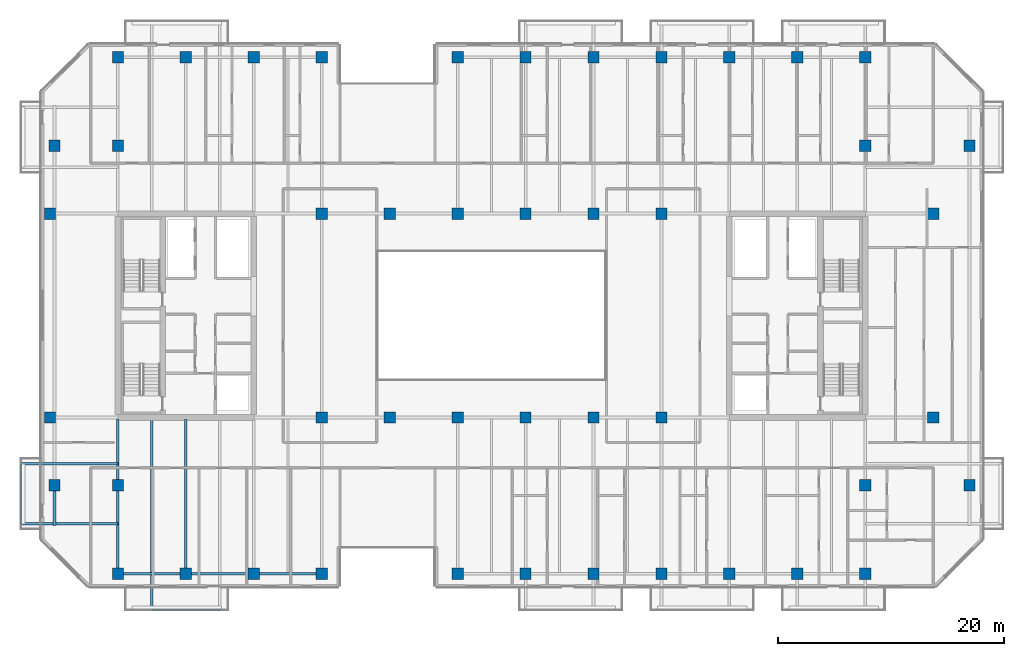
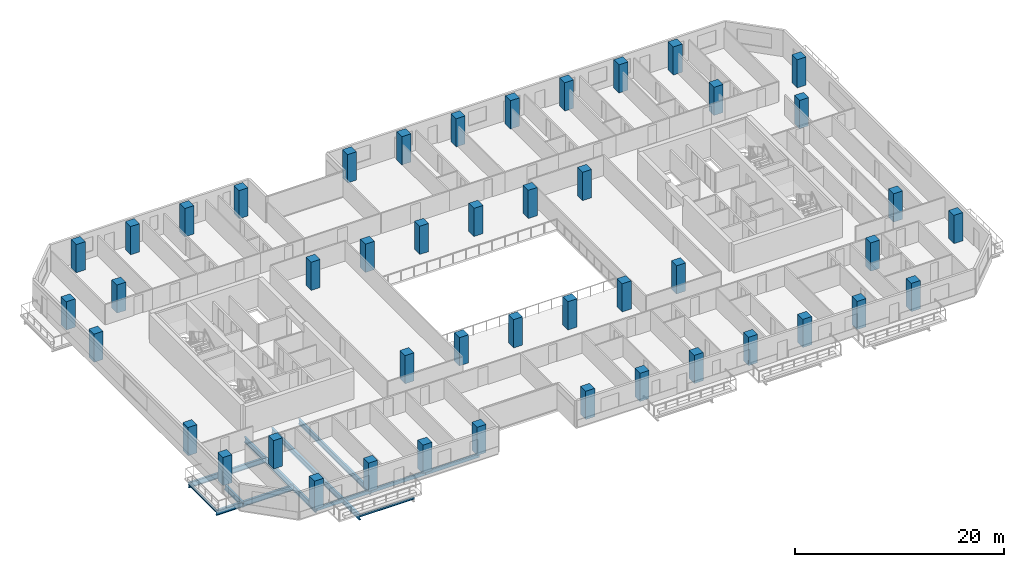
# One storey, part 1 of 23: 46 columns, 11 beams.
"""IFC4 building model written with IfcOpenShell, lengths in metres."""

from ifc_helpers import new_model, si_unit, direction, frame, origin, origin_2d, place, context, subcontext, project, spatial, rectangle, hollow_rectangle, i_section, extrude, material, material_profile, profile_set, type_object, element, save


model = new_model("IFC4")

# Units and contexts
model_context = context("Model", 3, precision=1e-05, world=origin(), true_north=direction((0.0, 1.0)))
body_context = subcontext(model_context, "Body", "Model", "MODEL_VIEW")
ifc_project = project(units=[si_unit("LENGTHUNIT", "METRE"), si_unit("AREAUNIT", "SQUARE_METRE"), si_unit("VOLUMEUNIT", "CUBIC_METRE"), si_unit("PLANEANGLEUNIT", "RADIAN"), si_unit("MASSUNIT", "GRAM", prefix="KILO")], contexts=[model_context])

# Site, building, storey
site_placement = place(None, origin())
site = spatial("IfcSite", under=ifc_project, at=site_placement, CompositionType="ELEMENT")
building_placement = place(site_placement, origin())
building = spatial("IfcBuilding", under=site, at=building_placement, Name="Tanjung Sevakor Pilgrim Tower", CompositionType="ELEMENT")
storey_placement = place(building_placement, frame((0.0, 0.0, 101.969970703125)))
storey = spatial("IfcBuildingStorey", under=building, at=storey_placement, Name="L28", CompositionType="ELEMENT", Elevation=101.969970703125)

# Columns
ifc_material_1 = material(Name="Concrete C60/75", Category="concrete")
ifc_material_profile_1 = material_profile(ifc_material_1, rectangle(XDim=1.0, YDim=1.0, at=origin_2d()))
ifc_profile_set_1 = profile_set([ifc_material_profile_1], Name="Concrete C60/75")
column_type = type_object("IfcColumnType", Name="COL-C-T1000-RC_1000x1000", PredefinedType="COLUMN", material=ifc_profile_set_1)
for number, where, z_axis, x_axis, name in (
    (1, (18.0, 24.60009765625, 0.0), (0.0, 0.0, 1.0), (1.0, 0.0, 0.0), "L28 Column SPW-018-246"),
    (2, (18.0, 42.60009765625, 0.0), (0.0, 0.0, 1.0), (1.0, 0.0, 0.0), "L28 Column SPW-018-426"),
    (3, (42.0, 24.60009765625, 0.0), (0.0, 0.0, 1.0), (1.0, 0.0, 0.0), "L28 Column SPW-042-246"),
    (4, (42.0, 42.60009765625, 0.0), (0.0, 0.0, 1.0), (1.0, 0.0, 0.0), "L28 Column SPW-042-426"),
    (5, (48.0, 24.60009765625, 0.0), (0.0, 0.0, 1.0), (1.0, 0.0, 0.0), "L28 Column SPW-048-246"),
    (6, (48.0, 42.60009765625, 0.0), (0.0, 0.0, 1.0), (1.0, 0.0, 0.0), "L28 Column SPW-048-426"),
    (7, (54.0, 24.60009765625, 0.0), (0.0, 0.0, 1.0), (1.0, 0.0, 0.0), "L28 Column SPE-054-246"),
    (8, (54.0, 42.60009765625, 0.0), (0.0, 0.0, 1.0), (1.0, 0.0, 0.0), "L28 Column SPE-054-426"),
    (9, (60.0, 24.60009765625, 0.0), (0.0, 0.0, 1.0), (1.0, 0.0, 0.0), "L28 Column SPE-060-246"),
    (10, (60.0, 42.60009765625, 0.0), (0.0, 0.0, 1.0), (1.0, 0.0, 0.0), "L28 Column SPE-060-426"),
    (11, (66.0, 24.60009765625, 0.0), (0.0, 0.0, 1.0), (1.0, 0.0, 0.0), "L28 Column SPE-066-246"),
    (12, (66.0, 42.60009765625, 0.0), (0.0, 0.0, 1.0), (1.0, 0.0, 0.0), "L28 Column SPE-066-426"),
    (13, (72.0, 24.60009765625, 0.0), (0.0, 0.0, 1.0), (1.0, 0.0, 0.0), "L28 Column SPE-072-246"),
    (14, (72.0, 42.60009765625, 0.0), (0.0, 0.0, 1.0), (1.0, 0.0, 0.0), "L28 Column SPE-072-426"),
    (15, (96.0, 24.60009765625, 0.0), (0.0, 0.0, 1.0), (1.0, 0.0, 0.0), "L28 Column SPE-096-246"),
    (16, (96.0, 42.60009765625, 0.0), (0.0, 0.0, 1.0), (1.0, 0.0, 0.0), "L28 Column SPE-096-426"),
    (17, (18.39990234375, 18.60009765625, 0.0), (0.0, 0.0, 1.0), (1.0, 0.0, 0.0), "L28 Column TCE-0184-186"),
    (18, (18.39990234375, 48.60009765625, 0.0), (0.0, 0.0, 1.0), (1.0, 0.0, 0.0), "L28 Column TCE-0184-486"),
    (19, (24.0, 18.60009765625, 0.0), (0.0, 0.0, 1.0), (1.0, 0.0, 0.0), "L28 Column TCE-0240-186"),
    (20, (24.0, 48.60009765625, 0.0), (0.0, 0.0, 1.0), (1.0, 0.0, 0.0), "L28 Column TCE-0240-486"),
    (21, (90.0, 18.60009765625, 0.0), (0.0, 0.0, 1.0), (1.0, 0.0, 0.0), "L28 Column TCE-0900-186"),
    (22, (90.0, 48.60009765625, 0.0), (0.0, 0.0, 1.0), (1.0, 0.0, 0.0), "L28 Column TCE-0900-486"),
    (23, (99.199951171875, 18.60009765625, 0.0), (0.0, 0.0, 1.0), (1.0, 0.0, 0.0), "L28 Column TCE-0992-186"),
    (24, (99.199951171875, 48.60009765625, 0.0), (0.0, 0.0, 1.0), (1.0, 0.0, 0.0), "L28 Column TCE-0992-486"),
    (25, (24.0, 10.800048828125, 0.0), (0.0, 0.0, 1.0), (1.0, 0.0, 0.0), "L28 Column TC2-024-108"),
    (26, (24.0, 56.39990234375, 0.0), (0.0, 0.0, 1.0), (1.0, 0.0, 0.0), "L28 Column TC2-024-564"),
    (27, (30.0, 10.800048828125, 0.0), (0.0, 0.0, 1.0), (1.0, 0.0, 0.0), "L28 Column TC2-030-108"),
    (28, (30.0, 56.39990234375, 0.0), (0.0, 0.0, 1.0), (1.0, 0.0, 0.0), "L28 Column TC2-030-564"),
    (29, (36.0, 10.800048828125, 0.0), (0.0, 0.0, 1.0), (1.0, 0.0, 0.0), "L28 Column TC2-036-108"),
    (30, (36.0, 56.39990234375, 0.0), (0.0, 0.0, 1.0), (1.0, 0.0, 0.0), "L28 Column TC2-036-564"),
    (31, (42.0, 10.800048828125, 0.0), (0.0, 0.0, 1.0), (1.0, 0.0, 0.0), "L28 Column TC2-042-108"),
    (32, (42.0, 56.39990234375, 0.0), (0.0, 0.0, 1.0), (1.0, 0.0, 0.0), "L28 Column TC2-042-564"),
    (33, (54.0, 10.800048828125, 0.0), (0.0, 0.0, 1.0), (1.0, 0.0, 0.0), "L28 Column TC2-054-108"),
    (34, (54.0, 56.39990234375, 0.0), (0.0, 0.0, 1.0), (1.0, 0.0, 0.0), "L28 Column TC2-054-564"),
    (35, (60.0, 10.800048828125, 0.0), (0.0, 0.0, 1.0), (1.0, 0.0, 0.0), "L28 Column TC2-060-108"),
    (36, (60.0, 56.39990234375, 0.0), (0.0, 0.0, 1.0), (1.0, 0.0, 0.0), "L28 Column TC2-060-564"),
    (37, (66.0, 10.800048828125, 0.0), (0.0, 0.0, 1.0), (1.0, 0.0, 0.0), "L28 Column TC2-066-108"),
    (38, (66.0, 56.39990234375, 0.0), (0.0, 0.0, 1.0), (1.0, 0.0, 0.0), "L28 Column TC2-066-564"),
    (39, (72.0, 10.800048828125, 0.0), (0.0, 0.0, 1.0), (1.0, 0.0, 0.0), "L28 Column TC2-072-108"),
    (40, (72.0, 56.39990234375, 0.0), (0.0, 0.0, 1.0), (1.0, 0.0, 0.0), "L28 Column TC2-072-564"),
    (41, (78.0, 10.800048828125, 0.0), (0.0, 0.0, 1.0), (1.0, 0.0, 0.0), "L28 Column TC2-078-108"),
    (42, (78.0, 56.39990234375, 0.0), (0.0, 0.0, 1.0), (1.0, 0.0, 0.0), "L28 Column TC2-078-564"),
    (43, (84.0, 10.800048828125, 0.0), (0.0, 0.0, 1.0), (1.0, 0.0, 0.0), "L28 Column TC2-084-108"),
    (44, (84.0, 56.39990234375, 0.0), (0.0, 0.0, 1.0), (1.0, 0.0, 0.0), "L28 Column TC2-084-564"),
    (45, (90.0, 10.800048828125, 0.0), (0.0, 0.0, 1.0), (1.0, 0.0, 0.0), "L28 Column TC2-090-108"),
    (46, (90.0, 56.39990234375, 0.0), (0.0, 0.0, 1.0), (1.0, 0.0, 0.0), "L28 Column TC2-090-564"),
):
    element("IfcColumn", number, at=place(storey_placement, frame(where, z_axis=z_axis, x_axis=x_axis)), inside=storey, type_object=column_type, Name=name, PredefinedType="COLUMN", context=body_context, shape_type="SweptSolid", body=[
        extrude(rectangle(XDim=1.0, YDim=1.0, at=origin_2d()), origin(), (0.0, 0.0, 1.0), 3.300048828125),
    ])

# Beams
ifc_material_2 = material(Name="Steel S355J2", Category="steel")
ifc_material_profile_2 = material_profile(ifc_material_2, i_section(OverallWidth=0.230224609375, OverallDepth=0.6171875, WebThickness=0.01318359375, FlangeThickness=0.022216796875, FilletRadius=0.0126953125, at=origin_2d()))
ifc_profile_set_2 = profile_set([ifc_material_profile_2], Name="Steel S355J2")
beam_type_1 = type_object("IfcBeamType", Name="BM-B-G3-UB_610x229x140", PredefinedType="BEAM", material=ifc_profile_set_2)
for number, where, z_axis, x_axis, name in (
    (47, (24.0, 10.800048828125, -0.528564453125), (0.0, 1.0, 0.0), (-1.0, 0.0, 0.0), "L28 MAIN Girder 001"),
    (48, (30.0, 10.800048828125, -0.528564453125), (0.0, 1.0, 0.0), (-1.0, 0.0, 0.0), "L28 MAIN Girder 003"),
):
    element("IfcBeam", number, at=place(storey_placement, frame(where, z_axis=z_axis, x_axis=x_axis)), inside=storey, type_object=beam_type_1, Name=name, PredefinedType="BEAM", context=body_context, shape_type="SweptSolid", body=[
        extrude(i_section(OverallWidth=0.230224609375, OverallDepth=0.6171875, WebThickness=0.01318359375, FlangeThickness=0.022216796875, FilletRadius=0.0126953125, at=origin_2d()), origin(), (0.0, 0.0, 1.0), 13.672607421875),
    ])
ifc_material_3 = material(Name="Steel S355J2", Category="steel")
ifc_material_profile_3 = material_profile(ifc_material_3, i_section(OverallWidth=0.22900390625, OverallDepth=0.6123046875, WebThickness=0.011962890625, FlangeThickness=0.01953125, FilletRadius=0.0126953125, at=origin_2d()))
ifc_profile_set_3 = profile_set([ifc_material_profile_3], Name="Steel S355J2")
beam_type_2 = type_object("IfcBeamType", Name="BM-B-G4-UB_610x229x125", PredefinedType="BEAM", material=ifc_profile_set_3)
beam_1_placement = place(storey_placement, frame((18.39990234375, 18.60009765625, -0.526123046875), z_axis=(0.0, -1.0, 0.0), x_axis=(1.0, 0.0, 0.0)))
element("IfcBeam", 49, at=beam_1_placement, inside=storey, type_object=beam_type_2, Name="L28 Short-End Edge Extension S-W", PredefinedType="BEAM", context=body_context, shape_type="SweptSolid", body=[
    extrude(i_section(OverallWidth=0.22900390625, OverallDepth=0.6123046875, WebThickness=0.011962890625, FlangeThickness=0.01953125, FilletRadius=0.0126953125, at=origin_2d()), origin(), (0.0, 0.0, 1.0), 3.550048828125),
])
for number, where, z_axis, x_axis, name in (
    (50, (24.0, 15.199951171875, -0.526123046875), (-1.0, 0.0, 0.0), (0.0, -1.0, 0.0), "L28 Balcony Overhanging Beam MAIN-W1-1"),
    (51, (24.0, 20.5, -0.526123046875), (-1.0, 0.0, 0.0), (0.0, -1.0, 0.0), "L28 Balcony Overhanging Beam MAIN-W1-2"),
):
    element("IfcBeam", number, at=place(storey_placement, frame(where, z_axis=z_axis, x_axis=x_axis)), inside=storey, type_object=beam_type_2, Name=name, PredefinedType="BEAM", context=body_context, shape_type="SweptSolid", body=[
        extrude(i_section(OverallWidth=0.22900390625, OverallDepth=0.6123046875, WebThickness=0.011962890625, FlangeThickness=0.01953125, FilletRadius=0.0126953125, at=origin_2d()), origin(), (0.0, 0.0, 1.0), 8.530029296875),
    ])
beam_2_placement = place(storey_placement, frame((27.0, 24.47265625, -0.526123046875), z_axis=(0.0, -1.0, 0.0), x_axis=(1.0, 0.0, 0.0)))
element("IfcBeam", 52, at=beam_2_placement, inside=storey, type_object=beam_type_2, Name="L28 Balcony Cantilever Beam MAIN-S1-1", PredefinedType="BEAM", context=body_context, shape_type="SweptSolid", body=[
    extrude(i_section(OverallWidth=0.22900390625, OverallDepth=0.6123046875, WebThickness=0.011962890625, FlangeThickness=0.01953125, FilletRadius=0.0126953125, at=origin_2d()), origin(), (0.0, 0.0, 1.0), 16.8525390625),
])
ifc_material_4 = material(Name="Steel S355J2", Category="steel")
ifc_material_profile_4 = material_profile(ifc_material_4, i_section(OverallWidth=0.146484375, OverallDepth=0.256103515625, WebThickness=0.00634765625, FlangeThickness=0.010986328125, FilletRadius=0.007568359375, at=origin_2d()))
ifc_profile_set_4 = profile_set([ifc_material_profile_4], Name="Steel S355J2")
beam_type_3 = type_object("IfcBeamType", Name="BM-B-J6-UB_254x146x37", PredefinedType="JOIST", material=ifc_profile_set_4)
beam_3_placement = place(storey_placement, frame((27.0, 7.6201171875, -0.327880859375), z_axis=(1.0, 0.0, 0.0), x_axis=(0.0, 1.0, 0.0)))
element("IfcBeam", 53, at=beam_3_placement, inside=storey, type_object=beam_type_3, Name="L28 Balcony Rim Tie MAIN-S1", PredefinedType="JOIST", context=body_context, shape_type="SweptSolid", body=[
    extrude(i_section(OverallWidth=0.146484375, OverallDepth=0.256103515625, WebThickness=0.00634765625, FlangeThickness=0.010986328125, FilletRadius=0.007568359375, at=origin_2d()), origin(), (0.0, 0.0, 1.0), 6.0),
])
beam_4_placement = place(storey_placement, frame((15.469970703125, 15.199951171875, -0.327880859375), z_axis=(0.0, 1.0, 0.0), x_axis=(-1.0, 0.0, 0.0)))
element("IfcBeam", 54, at=beam_4_placement, inside=storey, type_object=beam_type_3, Name="L28 Balcony Rim Tie MAIN-W1", PredefinedType="JOIST", context=body_context, shape_type="SweptSolid", body=[
    extrude(i_section(OverallWidth=0.146484375, OverallDepth=0.256103515625, WebThickness=0.00634765625, FlangeThickness=0.010986328125, FilletRadius=0.007568359375, at=origin_2d()), origin(), (0.0, 0.0, 1.0), 5.300048828125),
])
ifc_material_5 = material(Name="Steel S355J2", Category="steel")
ifc_material_profile_5 = material_profile(ifc_material_5, hollow_rectangle(XDim=0.199951171875, YDim=0.39990234375, WallThickness=0.01611328125, at=origin_2d()))
ifc_profile_set_5 = profile_set([ifc_material_profile_5], Name="Steel S355J2")
beam_type_4 = type_object("IfcBeamType", Name="BM-B-SP2-RHS_400x200x16", PredefinedType="SPANDREL", material=ifc_profile_set_5)
for number, where, z_axis, x_axis, name in (
    (55, (24.0, 10.800048828125, -0.419921875), (1.0, 0.0, 0.0), (0.0, 1.0, 0.0), "L28 Spandrel MAIN S-01"),
    (56, (30.0, 10.800048828125, -0.419921875), (1.0, 0.0, 0.0), (0.0, 1.0, 0.0), "L28 Spandrel MAIN S-03"),
    (57, (36.0, 10.800048828125, -0.419921875), (1.0, 0.0, 0.0), (0.0, 1.0, 0.0), "L28 Spandrel MAIN S-05"),
):
    element("IfcBeam", number, at=place(storey_placement, frame(where, z_axis=z_axis, x_axis=x_axis)), inside=storey, type_object=beam_type_4, Name=name, PredefinedType="SPANDREL", context=body_context, shape_type="SweptSolid", body=[
        extrude(hollow_rectangle(XDim=0.199951171875, YDim=0.39990234375, WallThickness=0.01611328125, at=origin_2d()), origin(), (0.0, 0.0, 1.0), 6.0),
    ])

save(model, "model.ifc")
